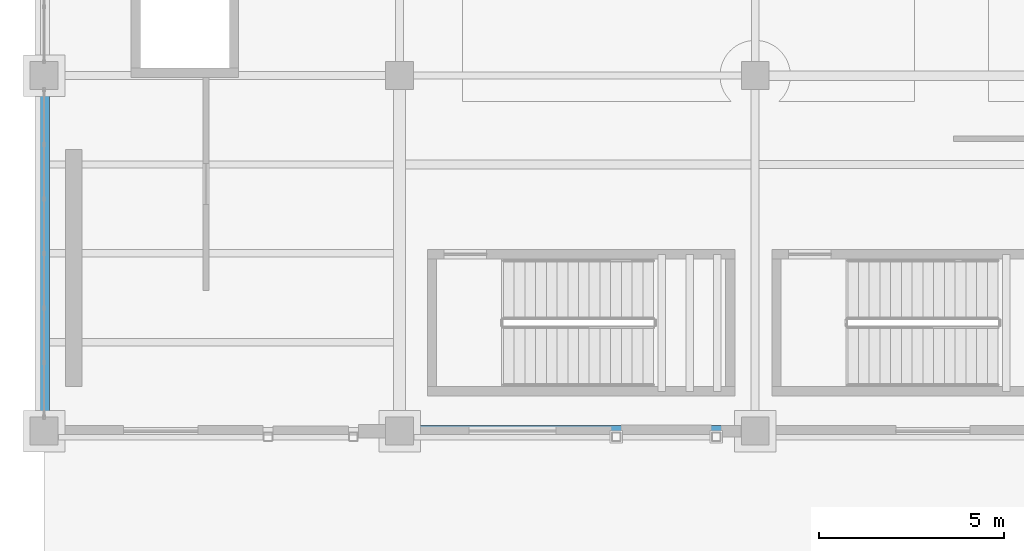
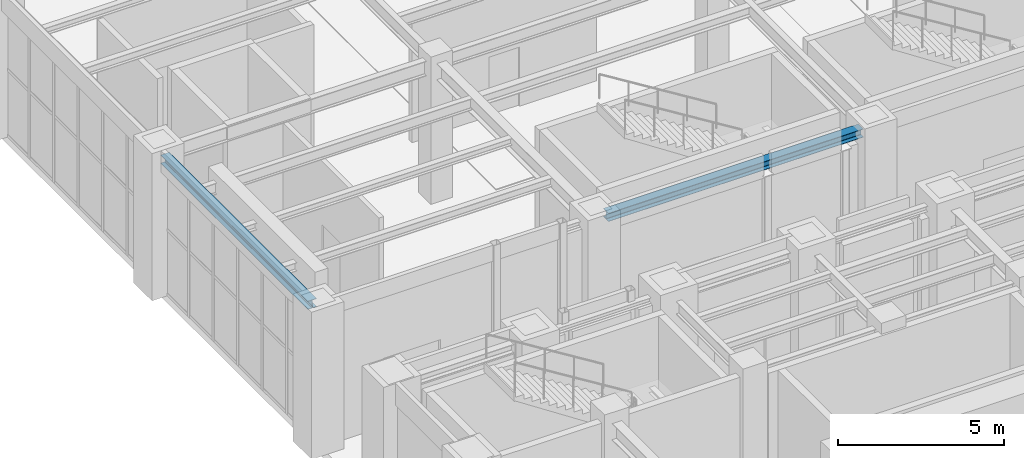
# One storey, part 60 of 164: 2 beams.
"""IFC4 building model written with IfcOpenShell, lengths in metres."""

from ifc_helpers import new_model, si_unit, direction, frame, origin, origin_2d, place, context, subcontext, project, spatial, i_section, extrude, material, material_profile, profile_set, type_object, element, save


model = new_model("IFC4")

# Units and contexts
model_context = context("Model", 3, precision=1e-05, world=origin(), true_north=direction((0.0, 1.0)))
body_context = subcontext(model_context, "Body", "Model", "MODEL_VIEW")
ifc_project = project(units=[si_unit("LENGTHUNIT", "METRE"), si_unit("AREAUNIT", "SQUARE_METRE"), si_unit("VOLUMEUNIT", "CUBIC_METRE"), si_unit("PLANEANGLEUNIT", "RADIAN"), si_unit("MASSUNIT", "GRAM", prefix="KILO")], contexts=[model_context])

# Site, building, storey
site_placement = place(None, origin())
site = spatial("IfcSite", under=ifc_project, at=site_placement, CompositionType="ELEMENT")
building_placement = place(site_placement, origin())
building = spatial("IfcBuilding", under=site, at=building_placement, Name="Mavantir Sound Aquarium", CompositionType="ELEMENT")
storey_placement = place(building_placement, origin())
storey = spatial("IfcBuildingStorey", under=building, at=storey_placement, Name="L00", CompositionType="ELEMENT", Elevation=0.0)

# Beams
ifc_material = material(Name="Structural Steel ASTM A992 Gr50", Category="steel")
ifc_material_profile = material_profile(ifc_material, i_section(OverallWidth=0.304931640625, OverallDepth=0.30810546875, WebThickness=0.010009765625, FlangeThickness=0.015380859375, FilletRadius=0.014892578125, at=origin_2d()), Name="W310X97")
ifc_profile_set = profile_set([ifc_material_profile], Name="Structural Steel ASTM A992 Gr50")
beam_type = type_object("IfcBeamType", Name="BM-W310X97-E", PredefinedType="SPANDREL", material=ifc_profile_set)
for number, where, z_axis, x_axis, name in (
    (1, (9.97509765625, 83.60009765625, 4.94189453125), (1.0, 0.0, 0.0), (0.0, 1.0, 0.0), "L00 primary beam SS-31A 1031"),
    (2, (0.0, 83.97509765625, 4.94189453125), (0.0, 1.0, 0.0), (-1.0, 0.0, 0.0), "L00 primary girder SS-31A 1050"),
):
    element("IfcBeam", number, at=place(storey_placement, frame(where, z_axis=z_axis, x_axis=x_axis)), inside=storey, type_object=beam_type, Name=name, PredefinedType="SPANDREL", context=body_context, shape_type="SweptSolid", body=[
        extrude(i_section(OverallWidth=0.304931640625, OverallDepth=0.30810546875, WebThickness=0.010009765625, FlangeThickness=0.015380859375, FilletRadius=0.014892578125, at=origin_2d()), origin(), (0.0, 0.0, 1.0), 8.849853515625),
    ])

save(model, "model.ifc")
